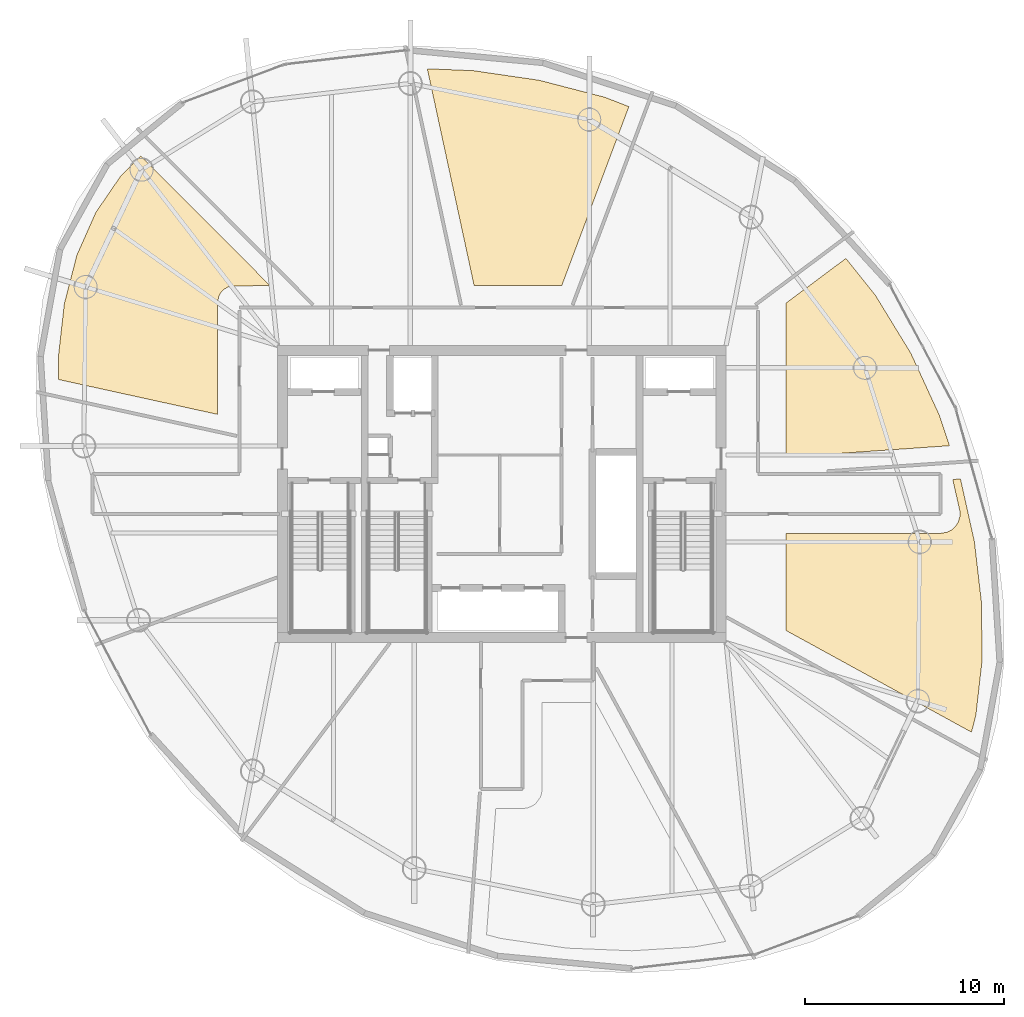
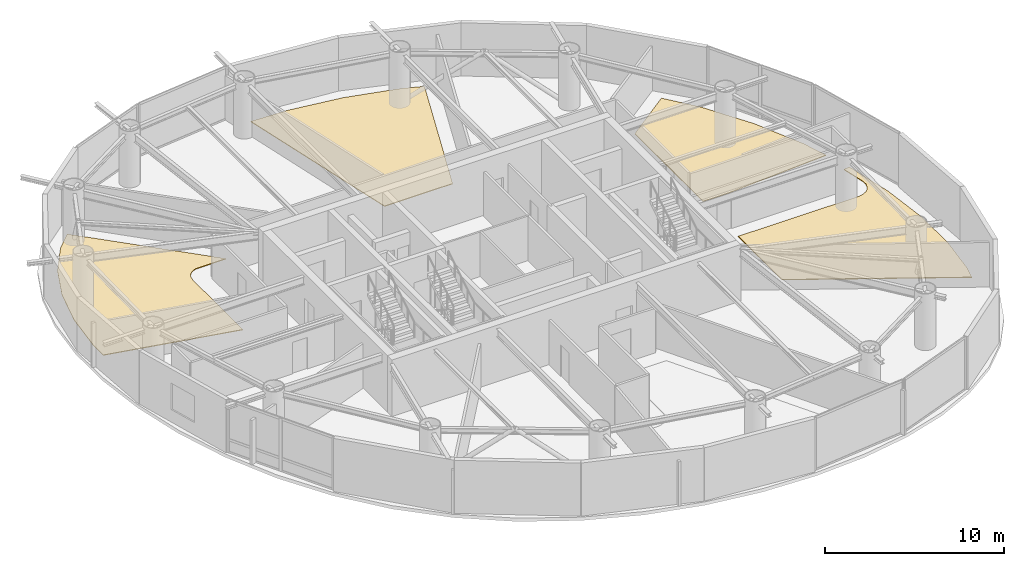
# One storey, part 22 of 22: 4 coverings.
"""IFC4 building model written with IfcOpenShell, lengths in metres."""

from ifc_helpers import new_model, si_unit, direction, frame, origin, place, context, subcontext, project, spatial, polyline, outline, extrude, material, layer, layer_set, type_object, element, save


model = new_model("IFC4")

# Units and contexts
model_context = context("Model", 3, precision=1e-05, world=origin(), true_north=direction((0.0, 1.0)))
body_context = subcontext(model_context, "Body", "Model", "MODEL_VIEW")
ifc_project = project(units=[si_unit("LENGTHUNIT", "METRE"), si_unit("AREAUNIT", "SQUARE_METRE"), si_unit("VOLUMEUNIT", "CUBIC_METRE"), si_unit("PLANEANGLEUNIT", "RADIAN"), si_unit("MASSUNIT", "GRAM", prefix="KILO")], contexts=[model_context])

# Site, building, storey
site_placement = place(None, origin())
site = spatial("IfcSite", under=ifc_project, at=site_placement, CompositionType="ELEMENT")
building_placement = place(site_placement, origin())
building = spatial("IfcBuilding", under=site, at=building_placement, Name="Bramvorn Convention Spire", CompositionType="ELEMENT")
storey_placement = place(building_placement, frame((0.0, 0.0, 190.449951171875)))
storey = spatial("IfcBuildingStorey", under=building, at=storey_placement, Name="L48", CompositionType="ELEMENT", Elevation=190.449951171875)

# Coverings
ifc_material = material(Name="Calcium-Sulphate Raised Access Office Floor", Category="steel")
ifc_layer = layer(ifc_material, 0.044921875)
ifc_layer_set = layer_set([ifc_layer], Name="Calcium-Sulphate Raised Access Office Floor - FLR-RAISED-45")
covering_type = type_object("IfcCoveringType", Name="FLR-RAISED-45", PredefinedType="FLOORING", material=ifc_layer_set)
covering_1_placement = place(storey_placement, origin())
element("IfcCovering", 1, at=covering_1_placement, inside=storey, type_object=covering_type, Name="L48 Archive & Document Store 1 1 raised floor finish", PredefinedType="FLOORING", context=body_context, shape_type="SweptSolid", body=[
    extrude(outline(polyline([(52.25, 27.969970703125), (53.987060546875, 27.969970703125), (60.447998046875, 28.421875), (59.925048828125, 29.98486328125), (58.50146484375, 33.073486328125), (56.717041015625, 35.98876953125), (55.255859375, 37.814453125), (52.25, 35.57177734375), (52.25, 27.969970703125)])), origin(), (0.0, 0.0, 1.0), 0.045166015625),
])
covering_2_placement = place(storey_placement, origin())
element("IfcCovering", 2, at=covering_2_placement, inside=storey, type_object=covering_type, Name="L48 Archive & Print Store 3 3 raised floor finish", PredefinedType="FLOORING", context=body_context, shape_type="SweptSolid", body=[
    extrude(outline(polyline([(36.61376953125, 36.449951171875), (41.0087890625, 36.449951171875), (44.3720703125, 45.423583984375), (43.172607421875, 45.890380859375), (39.880615234375, 46.744873046875), (36.565673828125, 47.227783203125), (34.2666015625, 47.322021484375), (36.61376953125, 36.449951171875)])), origin(), (0.0, 0.0, 1.0), 0.045166015625),
])
covering_3_placement = place(storey_placement, origin())
element("IfcCovering", 3, at=covering_3_placement, inside=storey, type_object=covering_type, Name="L48 Partner Private Office 2 5 raised floor finish", PredefinedType="FLOORING", context=body_context, shape_type="SweptSolid", body=[
    extrude(outline(polyline([(15.763916015625, 32.84521484375), (15.7724609375, 31.742431640625), (23.75, 29.993896484375), (23.75, 35.60009765625), (23.814697265625, 35.92529296875), (23.893310546875, 36.072265625), (24.060791015625, 36.257080078125), (24.274658203125, 36.38525390625), (24.43408203125, 36.43359375), (26.3828125, 36.449951171875), (19.906494140625, 42.947021484375), (18.908203125, 41.963134765625), (17.642822265625, 40.114501953125), (16.697509765625, 37.9755859375), (16.069580078125, 35.54541015625), (15.763916015625, 32.84521484375)])), origin(), (0.0, 0.0, 1.0), 0.045166015625),
])
covering_4_placement = place(storey_placement, origin())
element("IfcCovering", 4, at=covering_4_placement, inside=storey, type_object=covering_type, Name="L48 Archive & Document Store 1 11 raised floor finish", PredefinedType="FLOORING", context=body_context, shape_type="SweptSolid", body=[
    extrude(outline(polyline([(60.9619140625, 25.169189453125), (60.969482421875, 24.881103515625), (60.89208984375, 24.603515625), (60.736328125, 24.36083984375), (60.586181640625, 24.22216796875), (60.33203125, 24.086181640625), (60.0068359375, 24.030029296875), (52.25, 24.030029296875), (52.25, 19.15869140625), (61.551025390625, 14.06103515625), (61.771484375, 14.9150390625), (62.077392578125, 17.615234375), (62.054443359375, 20.541748046875), (61.6943359375, 23.631591796875), (60.9990234375, 26.756103515625), (60.612548828125, 26.72900390625), (60.9619140625, 25.169189453125)])), origin(), (0.0, 0.0, 1.0), 0.045166015625),
])

save(model, "model.ifc")
